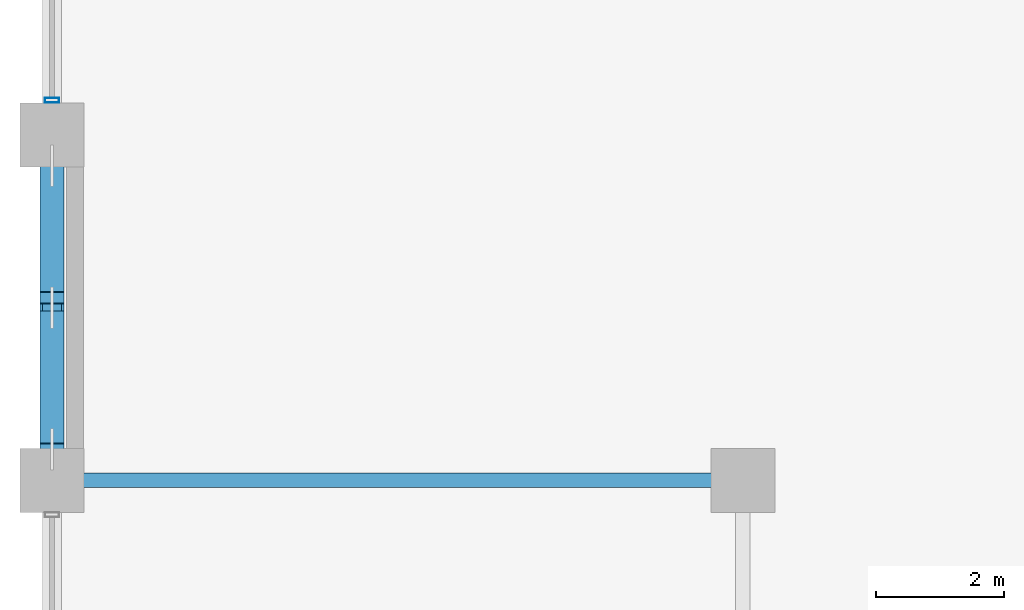
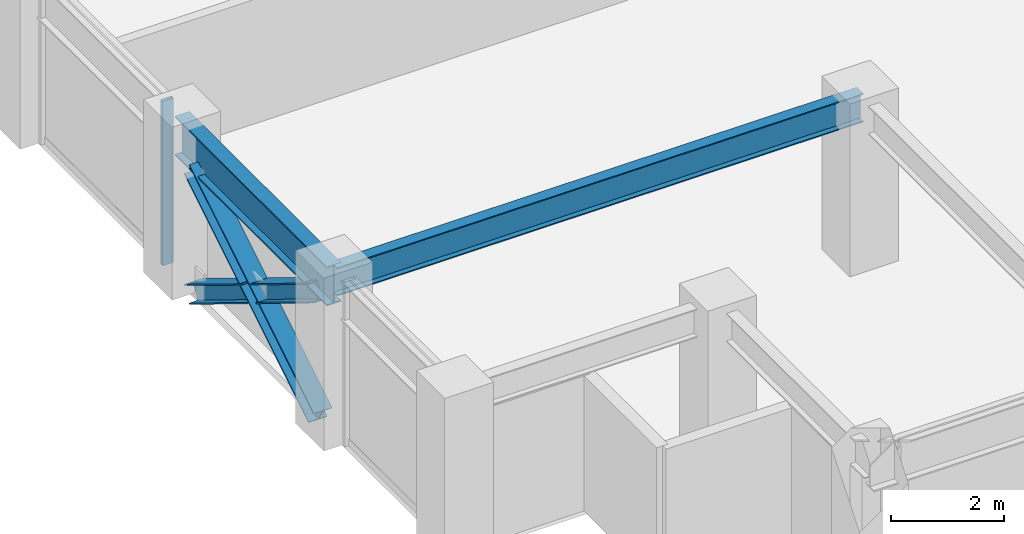
# One storey, part 3 of 23: 4 members, 2 beams, 1 element without a shape of its own.
"""IFC4 building model written with IfcOpenShell, lengths in metres."""

from ifc_helpers import new_model, si_unit, direction, frame, origin, origin_2d, place, context, subcontext, project, spatial, hollow_rectangle, i_section, extrude, material, layer, layer_set, material_profile, profile_set, type_object, element, aggregate, save


model = new_model("IFC4")

# Units and contexts
model_context = context("Model", 3, precision=1e-05, world=origin(), true_north=direction((0.0, 1.0)))
body_context = subcontext(model_context, "Body", "Model", "MODEL_VIEW")
ifc_project = project(units=[si_unit("LENGTHUNIT", "METRE"), si_unit("AREAUNIT", "SQUARE_METRE"), si_unit("VOLUMEUNIT", "CUBIC_METRE"), si_unit("PLANEANGLEUNIT", "RADIAN"), si_unit("MASSUNIT", "GRAM", prefix="KILO")], contexts=[model_context])

# Site, building, storey
site_placement = place(None, origin())
site = spatial("IfcSite", under=ifc_project, at=site_placement, CompositionType="ELEMENT")
building_placement = place(site_placement, origin())
building = spatial("IfcBuilding", under=site, at=building_placement, Name="Surkhivell Harbour Commons", CompositionType="ELEMENT")
storey_placement = place(building_placement, frame((0.0, 0.0, 132.0)))
storey = spatial("IfcBuildingStorey", under=building, at=storey_placement, Name="L34", CompositionType="ELEMENT", Elevation=132.0)

# Beams
ifc_material_1 = material(Name="Steel S355", Category="steel")
ifc_material_profile_1 = material_profile(ifc_material_1, i_section(OverallWidth=0.22998046875, OverallDepth=0.616943359375, WebThickness=0.01318359375, FlangeThickness=0.022216796875, at=origin_2d()), Name="UB610x229x140")
ifc_profile_set_1 = profile_set([ifc_material_profile_1], Name="Steel S355")
beam_type_1 = type_object("IfcBeamType", Name="BM-GRD-610B", PredefinedType="BEAM", material=ifc_profile_set_1)
beam_1_placement = place(storey_placement, frame((-32.39990234375, -16.199951171875, 3.261474609375), z_axis=(1.0, 0.0, 0.0), x_axis=(0.0, 1.0, 0.0)))
element("IfcBeam", 1, at=beam_1_placement, inside=storey, type_object=beam_type_1, Name="L34 Floor Girder (-32.4,-16.2)", PredefinedType="BEAM", context=body_context, shape_type="SweptSolid", body=[
    extrude(i_section(OverallWidth=0.22998046875, OverallDepth=0.616943359375, WebThickness=0.01318359375, FlangeThickness=0.022216796875, at=origin_2d()), origin(), (0.0, 0.0, 1.0), 10.7998046875),
])
ifc_material_2 = material(Name="Steel S460", Category="steel")
ifc_material_profile_2 = material_profile(ifc_material_2, i_section(OverallWidth=0.2939453125, OverallDepth=0.85107421875, WebThickness=0.01611328125, FlangeThickness=0.02685546875, at=origin_2d()), Name="UB838x292x226")
ifc_profile_set_2 = profile_set([ifc_material_profile_2], Name="Steel S460")
beam_type_2 = type_object("IfcBeamType", Name="BM-SPN-838", PredefinedType="SPANDREL", material=ifc_profile_set_2)
beam_2_placement = place(storey_placement, frame((-32.39990234375, -16.199951171875, 3.14453125), z_axis=(0.0, 1.0, 0.0), x_axis=(-1.0, 0.0, 0.0)))
element("IfcBeam", 2, at=beam_2_placement, inside=storey, type_object=beam_type_2, Name="L34 Tube Spandrel (-32.4,-16.2)", PredefinedType="SPANDREL", context=body_context, shape_type="SweptSolid", body=[
    extrude(i_section(OverallWidth=0.2939453125, OverallDepth=0.85107421875, WebThickness=0.01611328125, FlangeThickness=0.02685546875, at=origin_2d()), origin(), (0.0, 0.0, 1.0), 5.39990234375),
])

# Curtain wall, member
ifc_material_3 = material(Name="Anodised pale-metal aluminium and insulated glazing", Category="aluminium")
ifc_layer = layer(ifc_material_3, 0.205078125)
ifc_layer_set = layer_set([ifc_layer], Name="Anodised pale-metal aluminium and insulated glazing")
curtain_wall_type = type_object("IfcCurtainWallType", Name="CW-SYS-Z2", PredefinedType="NOTDEFINED", material=ifc_layer_set)
curtain_wall_placement = place(storey_placement, origin())
curtain_wall = element("IfcCurtainWall", 3, at=curtain_wall_placement, inside=storey, type_object=curtain_wall_type, Name="L34 Curtain Wall CW-L34-E12S1", PredefinedType="NOTDEFINED")
ifc_material_4 = material(Name="Anodised pale-metal aluminium alloy 6063-T6", Category="aluminium")
ifc_material_profile_3 = material_profile(ifc_material_4, hollow_rectangle(XDim=0.074951171875, YDim=0.219970703125, WallThickness=0.00390625, at=origin_2d()), Name="ALU-MULL-75x220")
ifc_profile_set_3 = profile_set([ifc_material_profile_3], Name="Anodised pale-metal aluminium alloy 6063-T6")
member_type_1 = type_object("IfcMemberType", Name="CWM-220", PredefinedType="MULLION", material=ifc_profile_set_3)
member_1_placement = place(storey_placement, frame((-32.39990234375, -10.260498046875, 0.0), z_axis=(0.0, 0.0, 1.0), x_axis=(0.0, -1.0, 0.0)))
member_1 = element("IfcMember", 4, at=member_1_placement, type_object=member_type_1, Name="CW-Z2 mullion 7", PredefinedType="MULLION", context=body_context, shape_type="SweptSolid", body=[
    extrude(hollow_rectangle(XDim=0.074951171875, YDim=0.219970703125, WallThickness=0.00390625, at=origin_2d()), origin(), (0.0, 0.0, 1.0), 3.570068359375),
])
aggregate(curtain_wall, [member_1])

# Members
ifc_material_profile_4 = material_profile(ifc_material_2, i_section(OverallWidth=0.375, OverallDepth=0.375, WebThickness=0.0166015625, FlangeThickness=0.027099609375, at=origin_2d()), Name="UC356x368x202")
ifc_profile_set_4 = profile_set([ifc_material_profile_4], Name="Steel S460")
member_type_2 = type_object("IfcMemberType", Name="MEM-BRC-UC356", PredefinedType="BRACE", material=ifc_profile_set_4)
member_2_placement = place(storey_placement, frame((-32.39990234375, -15.715087890625, 0.008056640625), z_axis=(0.0, 0.852637717293, 0.522502557936), x_axis=(-1.0, 0.0, 0.0)))
element("IfcMember", 5, at=member_2_placement, inside=storey, type_object=member_type_2, Name="L34 Perimeter Mega-Brace MB- 10", PredefinedType="BRACE", context=body_context, shape_type="SweptSolid", body=[
    extrude(i_section(OverallWidth=0.375, OverallDepth=0.375, WebThickness=0.0166015625, FlangeThickness=0.027099609375, at=origin_2d()), origin(), (0.0, 0.0, 1.0), 5.19580078125),
])
member_3_placement = place(storey_placement, frame((-32.39990234375, -11.284912109375, 0.008056640625), z_axis=(0.0, -0.852617215241, 0.52253601242), x_axis=(1.0, 0.0, 0.0)))
element("IfcMember", 6, at=member_3_placement, inside=storey, type_object=member_type_2, Name="L34 Perimeter Mega-Brace MB- 11", PredefinedType="BRACE", context=body_context, shape_type="SweptSolid", body=[
    extrude(i_section(OverallWidth=0.375, OverallDepth=0.375, WebThickness=0.0166015625, FlangeThickness=0.027099609375, at=origin_2d()), origin(), (0.0, 0.0, 1.0), 2.41796875),
])
member_4_placement = place(storey_placement, frame((-32.39990234375, -13.653564453125, 1.459716796875), z_axis=(0.0, -0.852662200332, 0.522462603567), x_axis=(1.0, 0.0, 0.0)))
element("IfcMember", 7, at=member_4_placement, inside=storey, type_object=member_type_2, Name="L34 Perimeter Mega-Brace MB- 12", PredefinedType="BRACE", context=body_context, shape_type="SweptSolid", body=[
    extrude(i_section(OverallWidth=0.375, OverallDepth=0.375, WebThickness=0.0166015625, FlangeThickness=0.027099609375, at=origin_2d()), origin(), (0.0, 0.0, 1.0), 2.417724609375),
])

save(model, "model.ifc")
